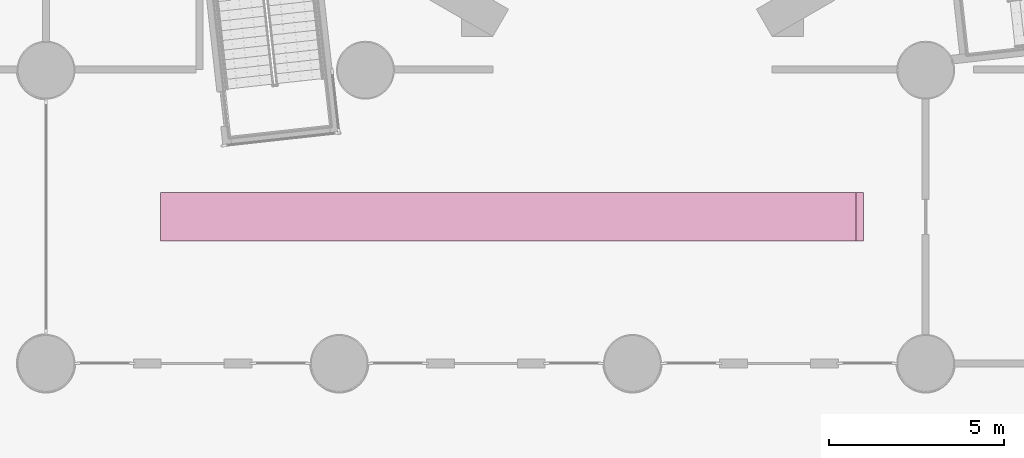
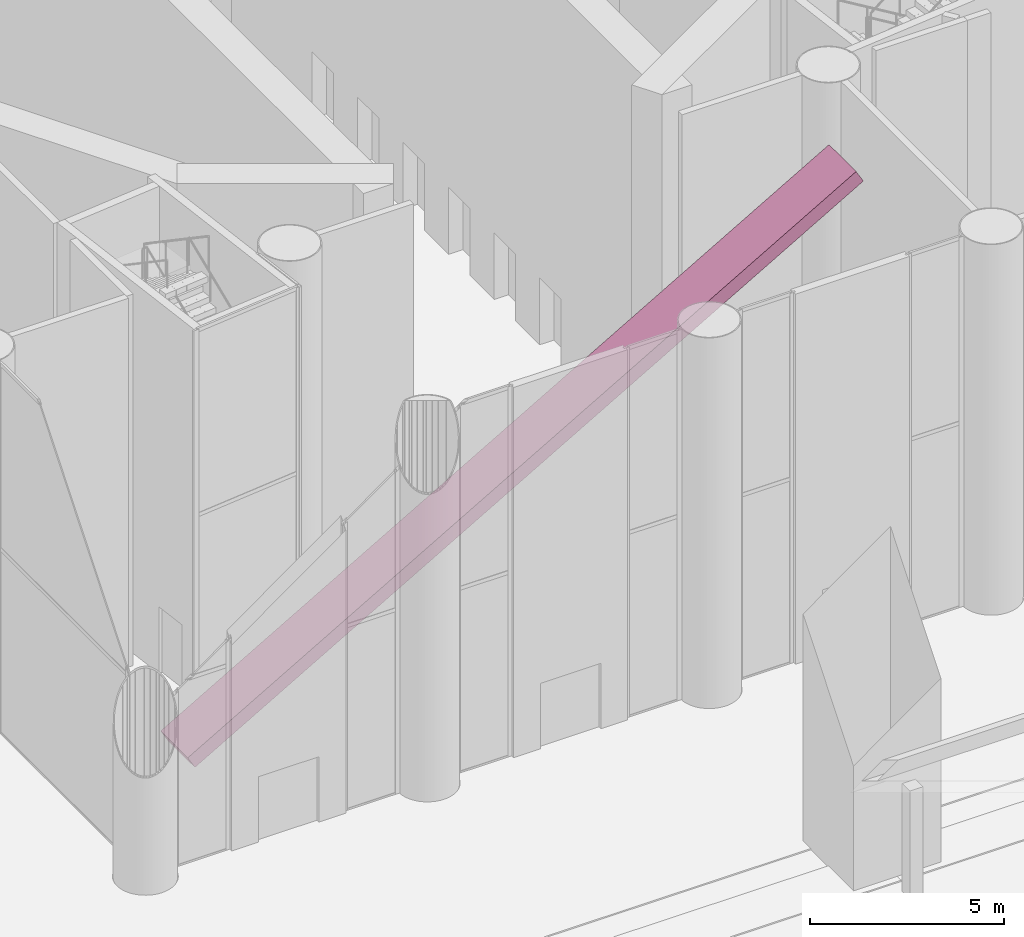
# One storey, part 48 of 52: 1 transport element.
"""IFC4 building model written with IfcOpenShell, lengths in metres."""

from ifc_helpers import new_model, si_unit, direction, frame, origin, place, context, subcontext, project, spatial, polyline, outline, extrude, material, type_object, element, save


model = new_model("IFC4")

# Units and contexts
model_context = context("Model", 3, precision=1e-05, world=origin(), true_north=direction((0.0, 1.0)))
body_context = subcontext(model_context, "Body", "Model", "MODEL_VIEW")
ifc_project = project(units=[si_unit("LENGTHUNIT", "METRE"), si_unit("AREAUNIT", "SQUARE_METRE"), si_unit("VOLUMEUNIT", "CUBIC_METRE"), si_unit("PLANEANGLEUNIT", "RADIAN"), si_unit("MASSUNIT", "GRAM", prefix="KILO")], contexts=[model_context])

# Site, building, storey
site_placement = place(None, origin())
site = spatial("IfcSite", under=ifc_project, at=site_placement, CompositionType="ELEMENT")
building_placement = place(site_placement, origin())
building = spatial("IfcBuilding", under=site, at=building_placement, Name="Cantera Rosa Tower", CompositionType="ELEMENT")
storey_placement = place(building_placement, origin())
storey = spatial("IfcBuildingStorey", under=building, at=storey_placement, Name="L00", CompositionType="ELEMENT", Elevation=0.0)

# Transport element
ifc_material = material(Name="Stainless steel", Category="steel")
transport_element_type = type_object("IfcTransportElementType", Name="Escalator 1400", PredefinedType="ESCALATOR", material=ifc_material)
transport_element_placement = place(storey_placement, frame((-13.5185546875, -17.5, 0.5), z_axis=(-0.500002395808, 0.0, 0.866024020559), x_axis=(0.866024020559, 0.0, 0.500002395808)))
element("IfcTransportElement", 1, at=transport_element_placement, inside=storey, type_object=transport_element_type, Name="Escalator C up", PredefinedType="ESCALATOR", context=body_context, shape_type="SweptSolid", body=[
    extrude(outline(polyline([(0.0, 0.0), (22.999889793339282, 0.0), (22.999889793339282, 1.39990234375), (0.0, 1.39990234375), (0.0, 0.0)])), origin(), (0.0, 0.0, -1.0), 0.43310546875),
])

save(model, "model.ifc")
